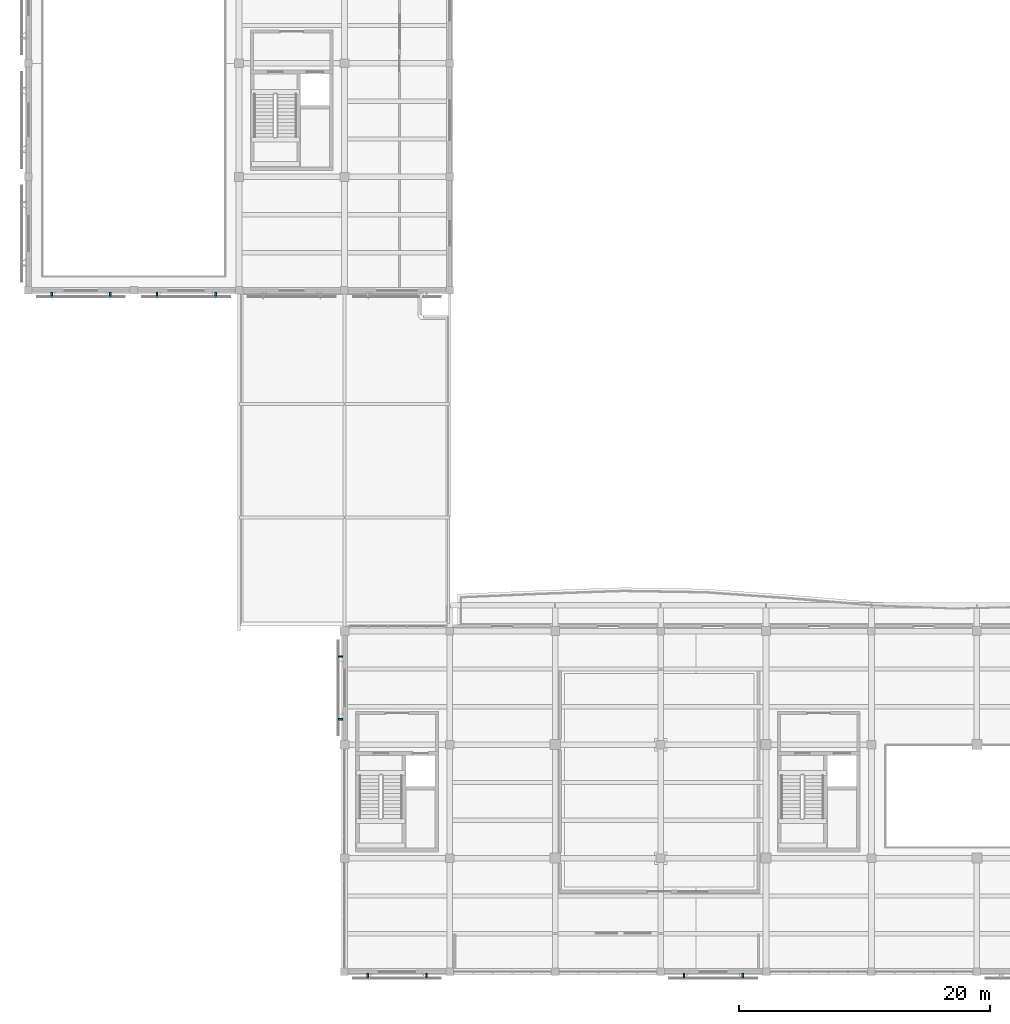
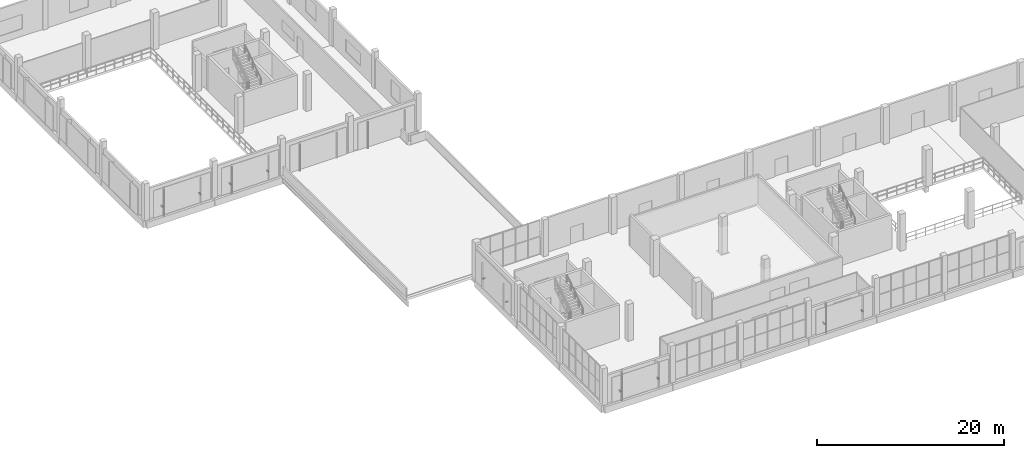
# One storey, part 64 of 80: 10 discrete accessories.
"""IFC4 building model written with IfcOpenShell, lengths in metres."""

from ifc_helpers import new_model, si_unit, direction, frame, origin, origin_2d, place, context, subcontext, project, spatial, rectangle, extrude, material, type_object, element, save


model = new_model("IFC4")

# Units and contexts
model_context = context("Model", 3, precision=1e-05, world=origin(), true_north=direction((0.0, 1.0)))
body_context = subcontext(model_context, "Body", "Model", "MODEL_VIEW")
ifc_project = project(units=[si_unit("LENGTHUNIT", "METRE"), si_unit("AREAUNIT", "SQUARE_METRE"), si_unit("VOLUMEUNIT", "CUBIC_METRE"), si_unit("PLANEANGLEUNIT", "RADIAN"), si_unit("MASSUNIT", "GRAM", prefix="KILO")], contexts=[model_context])

# Site, building, storey
site_placement = place(None, origin())
site = spatial("IfcSite", under=ifc_project, at=site_placement, CompositionType="ELEMENT")
building_placement = place(site_placement, origin())
building = spatial("IfcBuilding", under=site, at=building_placement, Name="Khurvash Pelagic Aquarium", CompositionType="ELEMENT")
storey_placement = place(building_placement, frame((0.0, 0.0, 10.800048828125)))
storey = spatial("IfcBuildingStorey", under=building, at=storey_placement, Name="L02", CompositionType="ELEMENT", Elevation=10.800048828125)

# Discrete accessories
ifc_material = material(Name="Hot-dip galvanised steel S355J2", Category="steel")
discrete_accessory_type = type_object("IfcDiscreteAccessoryType", Name="BK-01", PredefinedType="BRACKET", material=ifc_material)
for number, where, z_axis, x_axis, name in (
    (1, (24.89501953125, 27.72705078125, 1.10986328125), (0.0, 0.0, 1.0), (0.0, -1.0, 0.0), "L02 Jali Screen Support Bracket BK-01 0023"),
    (2, (24.89501953125, 22.722900390625, 1.10986328125), (0.0, 0.0, 1.0), (0.0, -1.0, 0.0), "L02 Jali Screen Support Bracket BK-01 0024"),
    (3, (27.06298828125, 2.294921875, 1.10986328125), (0.0, 0.0, 1.0), (1.0, 0.0, 0.0), "L02 Jali Screen Support Bracket BK-01 0025"),
    (4, (31.737060546875, 2.294921875, 1.10986328125), (0.0, 0.0, 1.0), (1.0, 0.0, 0.0), "L02 Jali Screen Support Bracket BK-01 0026"),
    (5, (52.262939453125, 2.294921875, 1.10986328125), (0.0, 0.0, 1.0), (1.0, 0.0, 0.0), "L02 Jali Screen Support Bracket BK-01 0027"),
    (6, (56.93701171875, 2.294921875, 1.10986328125), (0.0, 0.0, 1.0), (1.0, 0.0, 0.0), "L02 Jali Screen Support Bracket BK-01 0028"),
    (7, (1.863037109375, 56.594970703125, 1.10986328125), (0.0, 0.0, 1.0), (1.0, 0.0, 0.0), "L02 Jali Screen Support Bracket BK-01 0057"),
    (8, (6.537109375, 56.594970703125, 1.10986328125), (0.0, 0.0, 1.0), (1.0, 0.0, 0.0), "L02 Jali Screen Support Bracket BK-01 0058"),
    (9, (10.262939453125, 56.594970703125, 1.10986328125), (0.0, 0.0, 1.0), (1.0, 0.0, 0.0), "L02 Jali Screen Support Bracket BK-01 0059"),
    (10, (14.93701171875, 56.594970703125, 1.10986328125), (0.0, 0.0, 1.0), (1.0, 0.0, 0.0), "L02 Jali Screen Support Bracket BK-01 0060"),
):
    element("IfcDiscreteAccessory", number, at=place(storey_placement, frame(where, z_axis=z_axis, x_axis=x_axis)), inside=storey, type_object=discrete_accessory_type, Name=name, PredefinedType="BRACKET", context=body_context, shape_type="SweptSolid", body=[
        extrude(rectangle(XDim=0.139892578125, YDim=0.35009765625, at=origin_2d()), origin(), (0.0, 0.0, 1.0), 0.179931640625),
    ])

save(model, "model.ifc")
